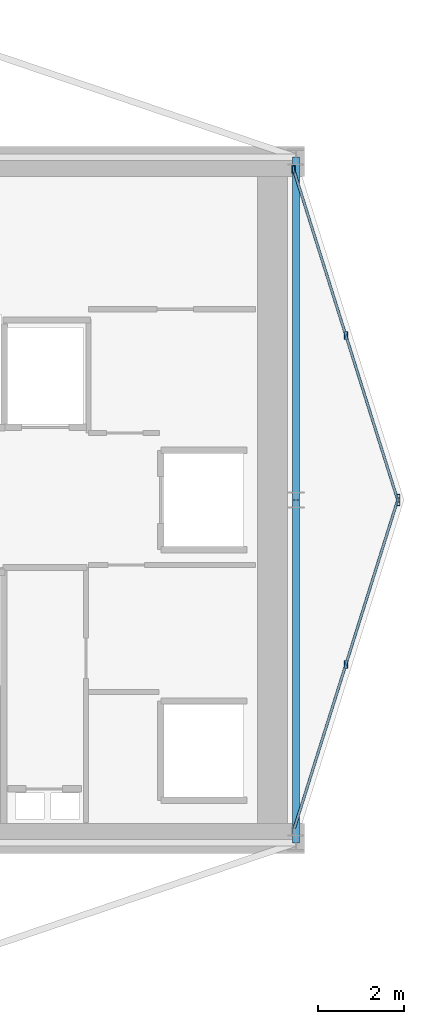
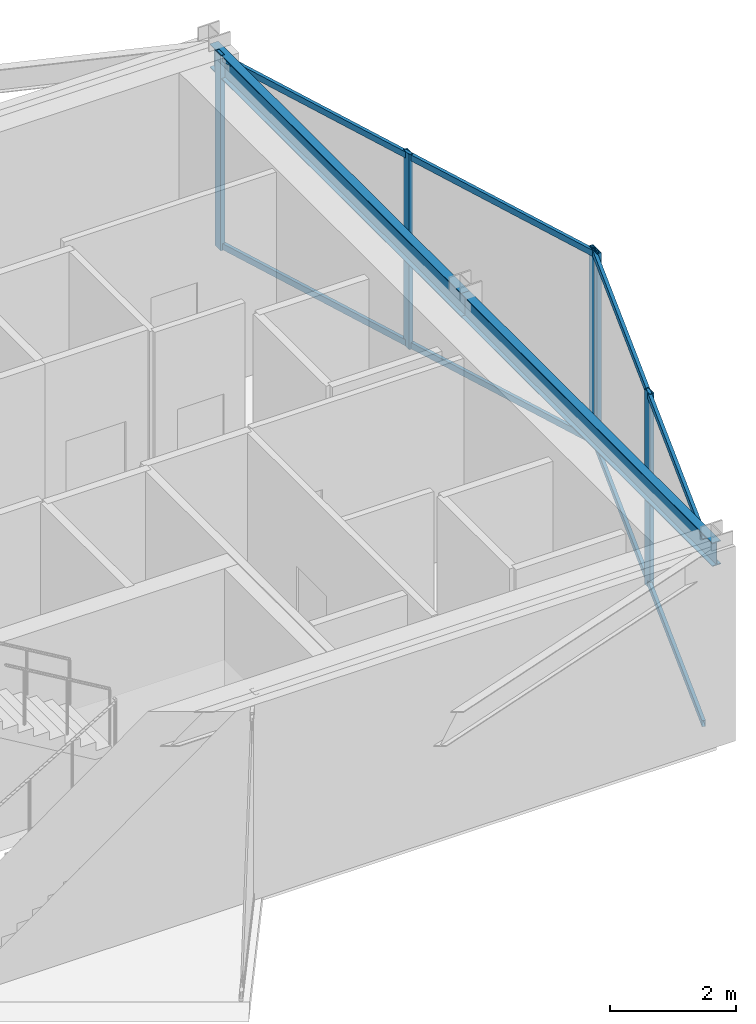
# One storey, part 15 of 21: 9 members, 2 beams, 2 elements without a shape of their own.
"""IFC4 building model written with IfcOpenShell, lengths in metres."""

from ifc_helpers import new_model, si_unit, direction, frame, origin, origin_2d, place, context, subcontext, project, spatial, hollow_rectangle, i_section, extrude, material, layer, layer_set, material_profile, profile_set, type_object, element, aggregate, save


model = new_model("IFC4")

# Units and contexts
model_context = context("Model", 3, precision=1e-05, world=origin(), true_north=direction((0.0, 1.0)))
body_context = subcontext(model_context, "Body", "Model", "MODEL_VIEW")
ifc_project = project(units=[si_unit("LENGTHUNIT", "METRE"), si_unit("AREAUNIT", "SQUARE_METRE"), si_unit("VOLUMEUNIT", "CUBIC_METRE"), si_unit("PLANEANGLEUNIT", "RADIAN"), si_unit("MASSUNIT", "GRAM", prefix="KILO")], contexts=[model_context])

# Site, building, storey
site_placement = place(None, origin())
site = spatial("IfcSite", under=ifc_project, at=site_placement, CompositionType="ELEMENT")
building_placement = place(site_placement, origin())
building = spatial("IfcBuilding", under=site, at=building_placement, Name="Veymaron Broadcast Tower", CompositionType="ELEMENT")
storey_placement = place(building_placement, frame((0.0, 0.0, 212.10009765625)))
storey = spatial("IfcBuildingStorey", under=building, at=storey_placement, Name="L49", CompositionType="ELEMENT", Elevation=212.10009765625)

# Beams
ifc_material_1 = material(Name="Structural steel ASTM A992 Gr 50", Category="steel")
ifc_material_profile_1 = material_profile(ifc_material_1, i_section(OverallWidth=0.154052734375, OverallDepth=0.458984375, WebThickness=0.009033203125, FlangeThickness=0.015380859375, at=origin_2d()), Name="W460X68")
ifc_profile_set_1 = profile_set([ifc_material_profile_1], Name="Structural steel ASTM A992 Gr 50")
beam_type = type_object("IfcBeamType", Name="BM-SP2", PredefinedType="SPANDREL", material=ifc_profile_set_1)
for number, where, z_axis, x_axis, name in (
    (1, (54.60009765625, 16.0, 3.560302734375), (0.0, 1.0, 0.0), (-1.0, 0.0, 0.0), "L49 primary structural floor girder"),
    (2, (54.60009765625, 24.0, 3.560302734375), (0.0, 1.0, 0.0), (-1.0, 0.0, 0.0), "L49 primary structural floor girder"),
):
    element("IfcBeam", number, at=place(storey_placement, frame(where, z_axis=z_axis, x_axis=x_axis)), inside=storey, type_object=beam_type, Name=name, PredefinedType="SPANDREL", context=body_context, shape_type="SweptSolid", body=[
        extrude(i_section(OverallWidth=0.154052734375, OverallDepth=0.458984375, WebThickness=0.009033203125, FlangeThickness=0.015380859375, at=origin_2d()), origin(), (0.0, 0.0, 1.0), 8.0),
    ])

# Curtain wall, members
ifc_material_2 = material(Name="Anodised aluminium AA 6063-T6 and laminated low-E dark glass", Category="aluminium")
ifc_layer = layer(ifc_material_2, 0.179931640625)
ifc_layer_set = layer_set([ifc_layer], Name="Anodised aluminium AA 6063-T6 and laminated low-E dark glass")
curtain_wall_type = type_object("IfcCurtainWallType", Name="CW-SYS-05", PredefinedType="NOTDEFINED", material=ifc_layer_set)
curtain_wall_1_placement = place(storey_placement, origin())
curtain_wall_1 = element("IfcCurtainWall", 3, at=curtain_wall_1_placement, inside=storey, type_object=curtain_wall_type, Name="L49 dark-glass curtain wall CW-L49-E2-1", PredefinedType="NOTDEFINED")
ifc_material_3 = material(Name="Anodised aluminium AA 6063-T6", Category="aluminium")
ifc_material_profile_2 = material_profile(ifc_material_3, hollow_rectangle(XDim=0.074951171875, YDim=0.179931640625, WallThickness=0.0048828125, at=origin_2d()), Name="AL180X75X5")
ifc_profile_set_2 = profile_set([ifc_material_profile_2], Name="Anodised aluminium AA 6063-T6")
member_type_1 = type_object("IfcMemberType", Name="CW-MUL-02", PredefinedType="MULLION", material=ifc_profile_set_2)
member_1_placement = place(storey_placement, frame((55.764892578125, 20.164306640625, 0.0), z_axis=(0.0, 0.0, 1.0), x_axis=(1.0, 0.0, 0.0)))
member_1 = element("IfcMember", 4, at=member_1_placement, type_object=member_type_1, Name="CW-L49-E2-1 mullion 1", PredefinedType="MULLION", context=body_context, shape_type="SweptSolid", body=[
    extrude(hollow_rectangle(XDim=0.074951171875, YDim=0.179931640625, WallThickness=0.0048828125, at=origin_2d()), origin(), (0.0, 0.0, 1.0), 3.789794921875),
])
member_2_placement = place(storey_placement, frame((56.986572265625, 24.0419921875, 0.0), z_axis=(0.0, 0.0, 1.0), x_axis=(1.0, 0.0, 0.0)))
member_2 = element("IfcMember", 5, at=member_2_placement, type_object=member_type_1, Name="CW-L49-E2-1 mullion 2", PredefinedType="MULLION", context=body_context, shape_type="SweptSolid", body=[
    extrude(hollow_rectangle(XDim=0.074951171875, YDim=0.179931640625, WallThickness=0.0048828125, at=origin_2d()), origin(), (0.0, 0.0, 1.0), 3.789794921875),
])

curtain_wall_2_placement = place(storey_placement, origin())
curtain_wall_2 = element("IfcCurtainWall", 6, at=curtain_wall_2_placement, inside=storey, type_object=curtain_wall_type, Name="L49 dark-glass curtain wall CW-L49-E3-1", PredefinedType="NOTDEFINED")
member_3_placement = place(storey_placement, frame((56.986572265625, 23.9580078125, 0.0), z_axis=(0.0, 0.0, 1.0), x_axis=(1.0, 0.0, 0.0)))
member_3 = element("IfcMember", 7, at=member_3_placement, type_object=member_type_1, Name="CW-L49-E3-1 mullion 0", PredefinedType="MULLION", context=body_context, shape_type="SweptSolid", body=[
    extrude(hollow_rectangle(XDim=0.074951171875, YDim=0.179931640625, WallThickness=0.0048828125, at=origin_2d()), origin(), (0.0, 0.0, 1.0), 3.789794921875),
])
member_4_placement = place(storey_placement, frame((55.764892578125, 27.835693359375, 0.0), z_axis=(0.0, 0.0, 1.0), x_axis=(1.0, 0.0, 0.0)))
member_4 = element("IfcMember", 8, at=member_4_placement, type_object=member_type_1, Name="CW-L49-E3-1 mullion 1", PredefinedType="MULLION", context=body_context, shape_type="SweptSolid", body=[
    extrude(hollow_rectangle(XDim=0.074951171875, YDim=0.179931640625, WallThickness=0.0048828125, at=origin_2d()), origin(), (0.0, 0.0, 1.0), 3.789794921875),
])
member_5_placement = place(storey_placement, frame((54.54345703125, 31.713623046875, 0.0), z_axis=(0.0, 0.0, 1.0), x_axis=(1.0, 0.0, 0.0)))
member_5 = element("IfcMember", 9, at=member_5_placement, type_object=member_type_1, Name="CW-L49-E3-1 mullion 2", PredefinedType="MULLION", context=body_context, shape_type="SweptSolid", body=[
    extrude(hollow_rectangle(XDim=0.074951171875, YDim=0.179931640625, WallThickness=0.0048828125, at=origin_2d()), origin(), (0.0, 0.0, 1.0), 3.789794921875),
])

# Member
ifc_material_profile_3 = material_profile(ifc_material_3, hollow_rectangle(XDim=0.06005859375, YDim=0.1201171875, WallThickness=0.00390625, at=origin_2d()), Name="AL120X60X4")
ifc_profile_set_3 = profile_set([ifc_material_profile_3], Name="Anodised aluminium AA 6063-T6")
member_type_2 = type_object("IfcMemberType", Name="CW-TRN-02", PredefinedType="USERDEFINED", material=ifc_profile_set_3)
member_6_placement = place(storey_placement, frame((54.558349609375, 16.333984375, 0.06982421875), z_axis=(0.300453348613, 0.953796511478, 0.0), x_axis=(-0.953796511478, 0.300453348613, 0.0)))
member_6 = element("IfcMember", 10, at=member_6_placement, type_object=member_type_2, Name="CW-L49-E2-1 transom B", ObjectType="TRANSOM", PredefinedType="USERDEFINED", context=body_context, shape_type="SweptSolid", body=[
    extrude(hollow_rectangle(XDim=0.06005859375, YDim=0.1201171875, WallThickness=0.00390625, at=origin_2d()), origin(), (0.0, 0.0, 1.0), 8.031494140625),
])

member_7_placement = place(storey_placement, frame((54.558349609375, 16.333984375, 3.719970703125), z_axis=(0.300453348613, 0.953796511478, 0.0), x_axis=(-0.953796511478, 0.300453348613, 0.0)))
member_7 = element("IfcMember", 11, at=member_7_placement, type_object=member_type_2, Name="CW-L49-E2-1 transom T", ObjectType="TRANSOM", PredefinedType="USERDEFINED", context=body_context, shape_type="SweptSolid", body=[
    extrude(hollow_rectangle(XDim=0.06005859375, YDim=0.1201171875, WallThickness=0.00390625, at=origin_2d()), origin(), (0.0, 0.0, 1.0), 8.031494140625),
])

aggregate(curtain_wall_1, [member_1, member_2, member_6, member_7])

member_8_placement = place(storey_placement, frame((56.971435546875, 24.005615234375, 0.06982421875), z_axis=(-0.300453348613, 0.953796511478, 0.0), x_axis=(-0.953796511478, -0.300453348613, 0.0)))
member_8 = element("IfcMember", 12, at=member_8_placement, type_object=member_type_2, Name="CW-L49-E3-1 transom B", ObjectType="TRANSOM", PredefinedType="USERDEFINED", context=body_context, shape_type="SweptSolid", body=[
    extrude(hollow_rectangle(XDim=0.06005859375, YDim=0.1201171875, WallThickness=0.00390625, at=origin_2d()), origin(), (0.0, 0.0, 1.0), 8.031494140625),
])

member_9_placement = place(storey_placement, frame((56.971435546875, 24.005615234375, 3.719970703125), z_axis=(-0.300453348613, 0.953796511478, 0.0), x_axis=(-0.953796511478, -0.300453348613, 0.0)))
member_9 = element("IfcMember", 13, at=member_9_placement, type_object=member_type_2, Name="CW-L49-E3-1 transom T", ObjectType="TRANSOM", PredefinedType="USERDEFINED", context=body_context, shape_type="SweptSolid", body=[
    extrude(hollow_rectangle(XDim=0.06005859375, YDim=0.1201171875, WallThickness=0.00390625, at=origin_2d()), origin(), (0.0, 0.0, 1.0), 8.031494140625),
])

aggregate(curtain_wall_2, [member_3, member_4, member_5, member_8, member_9])

save(model, "model.ifc")
